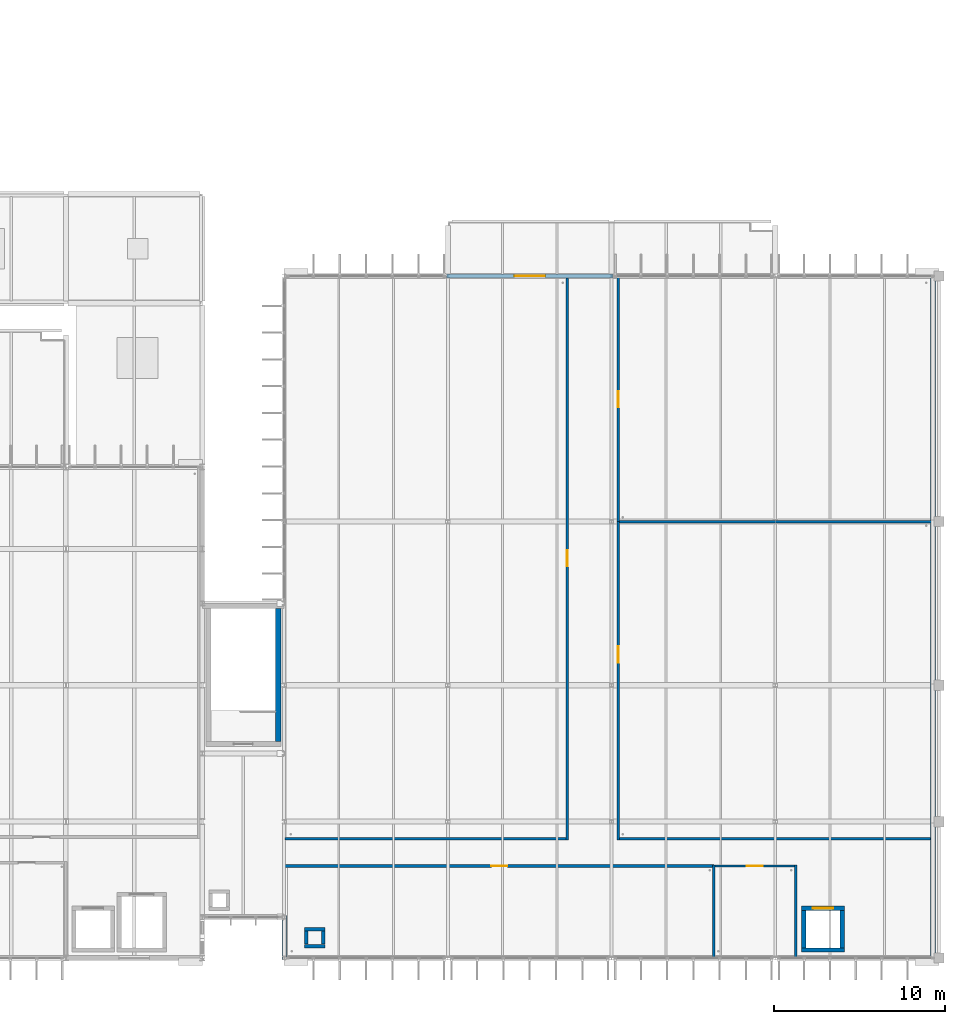
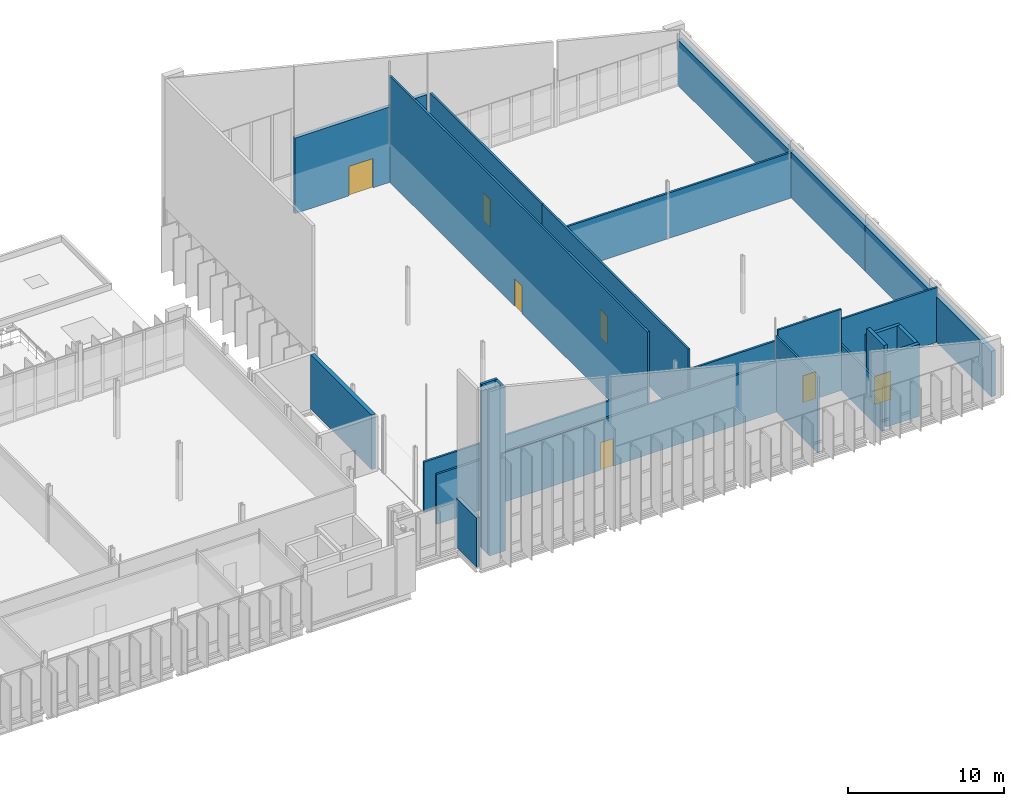
# One storey, part 67 of 110: 25 walls, 7 doors, 7 openings.
"""IFC4 building model written with IfcOpenShell, lengths in metres."""

import ifcopenshell
import ifcopenshell.guid

model = None  # the IFC model being written
_history = None  # IfcOwnerHistory: only IFC2X3 demands one
_inside = {}  # id of a spatial element -> (the spatial element, [elements in it])
_under = {}  # id of a project, library or spatial element -> (it, [spatial elements below it])
_declared = {}  # id of a project -> (the project, [libraries it declares])
_typed = {}  # id of a type object -> (the type object, [elements of that type])
_made_of = {}  # id of a material, layer set ... -> (it, [elements and type objects made of it])


def new_model(schema):
    """Start an empty IFC model of exactly this schema.

    Asked for "IFC4X3", IfcOpenShell would pick the latest addendum, in which some entities
    have other attributes; the version numbers below select the first issue.
    IFC2X3 requires an IfcOwnerHistory on every rooted entity: one is made here for all.
    """
    global model, _history
    if schema == "IFC4X3":
        model = ifcopenshell.file(schema_version=(4, 3, 0, 0))
    else:
        model = ifcopenshell.file(schema=schema)
    _inside.clear()
    _under.clear()
    _declared.clear()
    _typed.clear()
    _made_of.clear()
    _history = None
    if model.schema == "IFC2X3":
        org = make("IfcOrganization", Name="unknown")
        user = make(
            "IfcPersonAndOrganization",
            ThePerson=make("IfcPerson", FamilyName="unknown"),
            TheOrganization=org,
        )
        app = make(
            "IfcApplication",
            ApplicationDeveloper=org,
            Version="unknown",
            ApplicationFullName="unknown",
            ApplicationIdentifier="unknown",
        )
        _history = make(
            "IfcOwnerHistory",
            OwningUser=user,
            OwningApplication=app,
            ChangeAction="ADDED",
            CreationDate=0,
        )
    return model


def make(cls, **values):
    """One entity of the class cls with the attributes given. An attribute that is None is left unset."""
    return model.create_entity(
        cls, **{name: value for name, value in values.items() if value is not None}
    )


def rooted(cls, **values):
    """An entity with a GlobalId (a new one), such as an element, a storey or a relation."""
    return make(cls, GlobalId=ifcopenshell.guid.new(), OwnerHistory=_history, **values)


def si_unit(unit_type, name, prefix=None):
    """IfcSIUnit, for example si_unit("LENGTHUNIT", "METRE", prefix="MILLI")."""
    return make("IfcSIUnit", UnitType=unit_type, Prefix=prefix, Name=name)


def assignment(units):
    """IfcUnitAssignment: the units of a project."""
    return None if units is None else make("IfcUnitAssignment", Units=units)


def point(xyz):
    """IfcCartesianPoint."""
    return None if xyz is None else make("IfcCartesianPoint", Coordinates=xyz)


def direction(xyz):
    """IfcDirection."""
    return None if xyz is None else make("IfcDirection", DirectionRatios=xyz)


def frame(location, z_axis=None, x_axis=None):
    """IfcAxis2Placement3D, a coordinate frame: its origin and axes. An axis left out is left unset."""
    return make(
        "IfcAxis2Placement3D",
        Location=point(location),
        Axis=direction(z_axis),
        RefDirection=direction(x_axis),
    )


def frame_2d(location, x_axis=None):
    """IfcAxis2Placement2D, a coordinate frame in the plane: its origin and x axis."""
    return make(
        "IfcAxis2Placement2D", Location=point(location), RefDirection=direction(x_axis)
    )


def origin():
    """The frame at (0, 0, 0) with its axes left unset."""
    return frame((0.0, 0.0, 0.0))


def place(relative_to, where):
    """IfcLocalPlacement: puts the frame where relative to a parent placement (None: the world)."""
    return make(
        "IfcLocalPlacement", PlacementRelTo=relative_to, RelativePlacement=where
    )


def context(
    kind, dimensions, precision=None, world=None, true_north=None, identifier=None
):
    """IfcGeometricRepresentationContext, for example the 3D "Model" context."""
    return make(
        "IfcGeometricRepresentationContext",
        ContextIdentifier=identifier,
        ContextType=kind,
        CoordinateSpaceDimension=dimensions,
        Precision=precision,
        WorldCoordinateSystem=world,
        TrueNorth=true_north,
    )


def subcontext(parent, identifier, kind, view, scale=None):
    """IfcGeometricRepresentationSubContext, for example "Body" below "Model"."""
    return make(
        "IfcGeometricRepresentationSubContext",
        ContextIdentifier=identifier,
        ContextType=kind,
        ParentContext=parent,
        TargetScale=scale,
        TargetView=view,
    )


def project(units=None, contexts=None):
    """IfcProject with its units and contexts."""
    return rooted(
        "IfcProject",
        Name="project",
        RepresentationContexts=contexts,
        UnitsInContext=assignment(units),
    )


def spatial(cls, under=None, at=None, **own):
    """A site, building, storey or space (cls), placed at a placement, below another one or the project."""
    s = rooted(cls, ObjectPlacement=at, **own)
    if under is not None:
        _under.setdefault(under.id(), (under, []))[1].append(s)
    return s


def profile(cls, at=None, kind="AREA", **sizes):
    """A parametric profile (cls). Its sizes go by their IFC names, for example OverallWidth=200.0."""
    return make(cls, ProfileType=kind, Position=at, **sizes)


def rectangle(**sizes):
    """IfcRectangleProfileDef."""
    return profile("IfcRectangleProfileDef", **sizes)


def extrude(swept, where, along, depth):
    """IfcExtrudedAreaSolid: the profile swept, set in the frame where, extruded along a direction by depth."""
    return make(
        "IfcExtrudedAreaSolid",
        SweptArea=swept,
        Position=where,
        ExtrudedDirection=direction(along),
        Depth=depth,
    )


def shape(context_of_items, identifier, shape_type, items):
    """IfcShapeRepresentation: the items that make up one representation, for example the "Body"."""
    return make(
        "IfcShapeRepresentation",
        ContextOfItems=context_of_items,
        RepresentationIdentifier=identifier,
        RepresentationType=shape_type,
        Items=items,
    )


def material(Name=None, Category=None):
    """IfcMaterial."""
    return make("IfcMaterial", Name=Name, Category=Category)


def layer(
    of_material, thickness, ventilated=None, Name=None, Category=None, Priority=None
):
    """IfcMaterialLayer: one layer of a wall or slab, of a material (None: an air gap)."""
    return make(
        "IfcMaterialLayer",
        Material=of_material,
        LayerThickness=thickness,
        IsVentilated=ventilated,
        Name=Name,
        Category=Category,
        Priority=Priority,
    )


def layer_set(layers, Name=None):
    """IfcMaterialLayerSet."""
    return make("IfcMaterialLayerSet", MaterialLayers=layers, LayerSetName=Name)


def made_of(thing, what):
    """Note that an element or type object is made of a material, layer set ...; save() writes the relation."""
    if what is not None:
        _made_of.setdefault(what.id(), (what, []))[1].append(thing)
    return thing


def type_object(cls, material=None, **own):
    """A type object (cls), such as IfcWallType, which elements share."""
    return made_of(rooted(cls, **own), material)


def element(
    cls,
    number,
    at=None,
    inside=None,
    cuts=None,
    type_object=None,
    material=None,
    context=None,
    identifier="Body",
    shape_type=None,
    held_by="IfcProductDefinitionShape",
    body=None,
    shapes=None,
    **own,
):
    """One element of the class cls, such as IfcWall. Its Tag is "e" and its number.

    at: its placement. inside: the storey or other place that contains it. cuts: it is an
    opening in that element (IfcRelVoidsElement). A single representation is given by context,
    identifier, shape_type and body (its items); several are given by shapes. held_by: the class
    of the entity that holds the representations. save() writes the other relations.
    """
    e = rooted(cls, Tag="e%d" % number, ObjectPlacement=at, **own)
    if body is not None:
        shapes = [shape(context, identifier, shape_type, body)]
    if shapes is not None:
        e.Representation = make(held_by, Representations=shapes)
    if inside is not None:
        _inside.setdefault(inside.id(), (inside, []))[1].append(e)
    if cuts is not None:
        rooted(
            "IfcRelVoidsElement", RelatingBuildingElement=cuts, RelatedOpeningElement=e
        )
    if type_object is not None:
        _typed.setdefault(type_object.id(), (type_object, []))[1].append(e)
    return made_of(e, material)


def fill(opening, filler):
    """IfcRelFillsElement: the door or window that sits in an opening."""
    return rooted(
        "IfcRelFillsElement",
        RelatingOpeningElement=opening,
        RelatedBuildingElement=filler,
    )


def aggregate(whole, parts):
    """IfcRelAggregates: a whole, such as a stair, and the parts it consists of."""
    return rooted("IfcRelAggregates", RelatingObject=whole, RelatedObjects=parts)


def save(model, path):
    """Write the relations noted so far, then the file.

    IfcRelAggregates (storeys below a building ...), IfcRelContainedInSpatialStructure (elements
    in a storey), IfcRelDefinesByType, IfcRelAssociatesMaterial and IfcRelDeclares: one each for
    every whole, place, type object, material and project.
    """
    for whole, parts in _under.values():
        aggregate(whole, parts)
    for where, things in _inside.values():
        rooted(
            "IfcRelContainedInSpatialStructure",
            RelatedElements=things,
            RelatingStructure=where,
        )
    for kind, things in _typed.values():
        rooted("IfcRelDefinesByType", RelatedObjects=things, RelatingType=kind)
    for what, things in _made_of.values():
        rooted("IfcRelAssociatesMaterial", RelatedObjects=things, RelatingMaterial=what)
    for by, libraries in _declared.values():
        rooted("IfcRelDeclares", RelatingContext=by, RelatedDefinitions=libraries)
    model.write(path)


model = new_model("IFC4")

# Units and contexts
model_context = context("Model", 3, precision=1e-05, world=origin(), true_north=direction((0.0, 1.0)))
body_context = subcontext(model_context, "Body", "Model", "MODEL_VIEW")
ifc_project = project(units=[si_unit("LENGTHUNIT", "METRE"), si_unit("AREAUNIT", "SQUARE_METRE"), si_unit("VOLUMEUNIT", "CUBIC_METRE"), si_unit("PLANEANGLEUNIT", "RADIAN"), si_unit("MASSUNIT", "GRAM", prefix="KILO")], contexts=[model_context])

# Site, building, storey
site_placement = place(None, origin())
site = spatial("IfcSite", under=ifc_project, at=site_placement, CompositionType="ELEMENT")
building_placement = place(site_placement, origin())
building = spatial("IfcBuilding", under=site, at=building_placement, Name="Dunescarp Central Library", CompositionType="ELEMENT")
storey_placement = place(building_placement, frame((0.0, 0.0, 9.60009765625)))
storey = spatial("IfcBuildingStorey", under=building, at=storey_placement, Name="L02", CompositionType="ELEMENT", Elevation=9.60009765625)

# Wall, opening, door
ifc_material_1 = material(Name="Gypsum plasterboard acoustic partition")
ifc_layer_1 = layer(ifc_material_1, 0.14990234375)
ifc_layer_set_1 = layer_set([ifc_layer_1], Name="Gypsum plasterboard acoustic partition")
wall_type_1 = type_object("IfcWallType", Name="ARC-PT-AC150", PredefinedType="PARTITIONING", material=ifc_layer_set_1)
wall_1_placement = place(storey_placement, frame((129.639892578125, 10.199951171875, 0.0), z_axis=(0.0, 0.0, 1.0), x_axis=(1.0, 0.0, 0.0)))
wall_1 = element("IfcWall", 1, at=wall_1_placement, inside=storey, type_object=wall_type_1, Name="L02 partition PT-L02-0407", PredefinedType="PARTITIONING", context=body_context, shape_type="SweptSolid", body=[
    extrude(rectangle(XDim=25.16015625, YDim=0.14990234375, at=frame_2d((12.580078125, 0.0))), origin(), (0.0, 0.0, 1.0), 3.90478515625),
])
opening_1_placement = place(wall_1_placement, frame((12.10498046875, 0.0, 0.0)))
opening_1 = element("IfcOpeningElement", 2, at=opening_1_placement, cuts=wall_1, Name="Opening DR-L02-0176", PredefinedType="OPENING", context=body_context, shape_type="SweptSolid", body=[
    extrude(rectangle(XDim=0.949951171875, YDim=2.14990234375, at=frame_2d((0.47509765625, 1.074951171875))), frame((0.0, 0.0849609375, 0.0), z_axis=(0.0, -1.0, 0.0), x_axis=(1.0, 0.0, 0.0)), (0.0, 0.0, 1.0), 0.169921875),
])
ifc_material_2 = material(Name="Hardwood solid-core timber leaf", Category="wood")
door_type_1 = type_object("IfcDoorType", Name="ARC-DR-INT950", OperationType="NOTDEFINED", PredefinedType="DOOR", material=ifc_material_2)
door_1_placement = place(opening_1_placement, origin())
door_1 = element("IfcDoor", 3, at=door_1_placement, inside=storey, type_object=door_type_1, Name="L02 interior door DR-L02-0176", OperationType="SINGLE_SWING_RIGHT", OverallHeight=2.14990234375, OverallWidth=0.949951171875, PredefinedType="DOOR", context=body_context, shape_type="SweptSolid", body=[
    extrude(rectangle(XDim=0.949951171875, YDim=2.14990234375, at=frame_2d((0.47509765625, 1.074951171875))), frame((0.0, 0.02490234375, 0.0), z_axis=(0.0, -1.0, 0.0), x_axis=(1.0, 0.0, 0.0)), (0.0, 0.0, 1.0), 0.050048828125),
])
fill(opening_1, door_1)

# Wall
wall_2_placement = place(storey_placement, frame((129.639892578125, 11.800048828125, 0.0), z_axis=(0.0, 0.0, 1.0), x_axis=(1.0, 0.0, 0.0)))
element("IfcWall", 4, at=wall_2_placement, inside=storey, type_object=wall_type_1, Name="L02 partition PT-L02-0408", PredefinedType="PARTITIONING", context=body_context, shape_type="SweptSolid", body=[
    extrude(rectangle(XDim=16.485107421875, YDim=0.14990234375, at=frame_2d((8.24267578125, 0.0))), origin(), (0.0, 0.0, 1.0), 3.90478515625),
])

# Wall, opening, door
wall_3_placement = place(storey_placement, frame((146.199951171875, 11.72509765625, 0.0), z_axis=(0.0, 0.0, 1.0), x_axis=(0.0, 1.0, 0.0)))
wall_3 = element("IfcWall", 5, at=wall_3_placement, inside=storey, type_object=wall_type_1, Name="L02 partition PT-L02-0409", PredefinedType="PARTITIONING", context=body_context, shape_type="SweptSolid", body=[
    extrude(rectangle(XDim=33.034912109375, YDim=0.14990234375, at=frame_2d((16.517578125, 0.0))), origin(), (0.0, 0.0, 1.0), 8.2998046875),
])
opening_2_placement = place(wall_3_placement, frame((16.0419921875, 0.0, 0.0)))
opening_2 = element("IfcOpeningElement", 6, at=opening_2_placement, cuts=wall_3, Name="Opening DR-L02-0177", PredefinedType="OPENING", context=body_context, shape_type="SweptSolid", body=[
    extrude(rectangle(XDim=0.949951171875, YDim=2.14990234375, at=frame_2d((0.47509765625, 1.074951171875))), frame((0.0, 0.0849609375, 0.0), z_axis=(0.0, -1.0, 0.0), x_axis=(1.0, 0.0, 0.0)), (0.0, 0.0, 1.0), 0.169921875),
])
door_2_placement = place(opening_2_placement, origin())
door_2 = element("IfcDoor", 7, at=door_2_placement, inside=storey, type_object=door_type_1, Name="L02 interior door DR-L02-0177", OperationType="SINGLE_SWING_LEFT", OverallHeight=2.14990234375, OverallWidth=0.949951171875, PredefinedType="DOOR", context=body_context, shape_type="SweptSolid", body=[
    extrude(rectangle(XDim=0.949951171875, YDim=2.14990234375, at=frame_2d((0.47509765625, 1.074951171875))), frame((0.0, 0.02490234375, 0.0), z_axis=(0.0, -1.0, 0.0), x_axis=(1.0, 0.0, 0.0)), (0.0, 0.0, 1.0), 0.050048828125),
])
fill(opening_2, door_2)

# Walls
wall_4_placement = place(storey_placement, frame((149.27490234375, 11.800048828125, 0.0), z_axis=(0.0, 0.0, 1.0), x_axis=(1.0, 0.0, 0.0)))
element("IfcWall", 8, at=wall_4_placement, inside=storey, type_object=wall_type_1, Name="L02 partition PT-L02-0410", PredefinedType="PARTITIONING", context=body_context, shape_type="SweptSolid", body=[
    extrude(rectangle(XDim=18.335205078125, YDim=0.14990234375, at=frame_2d((9.16748046875, 0.0))), origin(), (0.0, 0.0, 1.0), 4.27392578125),
])
wall_5_placement = place(storey_placement, frame((149.27490234375, 30.39990234375, 0.0), z_axis=(0.0, 0.0, 1.0), x_axis=(1.0, 0.0, 0.0)))
element("IfcWall", 9, at=wall_5_placement, inside=storey, type_object=wall_type_1, Name="L02 partition PT-L02-0411", PredefinedType="PARTITIONING", context=body_context, shape_type="SweptSolid", body=[
    extrude(rectangle(XDim=18.335205078125, YDim=0.14990234375, at=frame_2d((9.16748046875, 0.0))), origin(), (0.0, 0.0, 1.0), 3.5498046875),
])

# Wall, opening, door
wall_6_placement = place(storey_placement, frame((149.199951171875, 11.72509765625, 0.0), z_axis=(0.0, 0.0, 1.0), x_axis=(0.0, 1.0, 0.0)))
wall_6 = element("IfcWall", 10, at=wall_6_placement, inside=storey, type_object=wall_type_1, Name="L02 partition PT-L02-0412", PredefinedType="PARTITIONING", context=body_context, shape_type="SweptSolid", body=[
    extrude(rectangle(XDim=18.75, YDim=0.14990234375, at=frame_2d((9.375, 0.0))), origin(), (0.0, 0.0, 1.0), 5.89990234375),
])
opening_3_placement = place(wall_6_placement, frame((10.39990234375, 0.0, 0.0)))
opening_3 = element("IfcOpeningElement", 11, at=opening_3_placement, cuts=wall_6, Name="Opening DR-L02-0178", PredefinedType="OPENING", context=body_context, shape_type="SweptSolid", body=[
    extrude(rectangle(XDim=0.949951171875, YDim=2.14990234375, at=frame_2d((0.47509765625, 1.074951171875))), frame((0.0, 0.0849609375, 0.0), z_axis=(0.0, -1.0, 0.0), x_axis=(1.0, 0.0, 0.0)), (0.0, 0.0, 1.0), 0.169921875),
])
door_3_placement = place(opening_3_placement, origin())
door_3 = element("IfcDoor", 12, at=door_3_placement, inside=storey, type_object=door_type_1, Name="L02 interior door DR-L02-0178", OperationType="SINGLE_SWING_RIGHT", OverallHeight=2.14990234375, OverallWidth=0.949951171875, PredefinedType="DOOR", context=body_context, shape_type="SweptSolid", body=[
    extrude(rectangle(XDim=0.949951171875, YDim=2.14990234375, at=frame_2d((0.47509765625, 1.074951171875))), frame((0.0, 0.02490234375, 0.0), z_axis=(0.0, -1.0, 0.0), x_axis=(1.0, 0.0, 0.0)), (0.0, 0.0, 1.0), 0.050048828125),
])
fill(opening_3, door_3)

wall_7_placement = place(storey_placement, frame((149.199951171875, 30.39990234375, 0.0), z_axis=(0.0, 0.0, 1.0), x_axis=(0.0, 1.0, 0.0)))
wall_7 = element("IfcWall", 13, at=wall_7_placement, inside=storey, type_object=wall_type_1, Name="L02 partition PT-L02-0413", PredefinedType="PARTITIONING", context=body_context, shape_type="SweptSolid", body=[
    extrude(rectangle(XDim=14.360107421875, YDim=0.14990234375, at=frame_2d((7.18017578125, 0.0))), origin(), (0.0, 0.0, 1.0), 5.89990234375),
])
opening_4_placement = place(wall_7_placement, frame((6.705078125, 0.0, 0.0)))
opening_4 = element("IfcOpeningElement", 14, at=opening_4_placement, cuts=wall_7, Name="Opening DR-L02-0179", PredefinedType="OPENING", context=body_context, shape_type="SweptSolid", body=[
    extrude(rectangle(XDim=0.949951171875, YDim=2.14990234375, at=frame_2d((0.47509765625, 1.074951171875))), frame((0.0, 0.0849609375, 0.0), z_axis=(0.0, -1.0, 0.0), x_axis=(1.0, 0.0, 0.0)), (0.0, 0.0, 1.0), 0.169921875),
])
door_4_placement = place(opening_4_placement, origin())
door_4 = element("IfcDoor", 15, at=door_4_placement, inside=storey, type_object=door_type_1, Name="L02 interior door DR-L02-0179", OperationType="SINGLE_SWING_LEFT", OverallHeight=2.14990234375, OverallWidth=0.949951171875, PredefinedType="DOOR", context=body_context, shape_type="SweptSolid", body=[
    extrude(rectangle(XDim=0.949951171875, YDim=2.14990234375, at=frame_2d((0.47509765625, 1.074951171875))), frame((0.0, 0.02490234375, 0.0), z_axis=(0.0, -1.0, 0.0), x_axis=(1.0, 0.0, 0.0)), (0.0, 0.0, 1.0), 0.050048828125),
])
fill(opening_4, door_4)

ifc_material_3 = material(Name="Autoclaved aerated concrete block", Category="concrete")
ifc_layer_2 = layer(ifc_material_3, 0.139892578125)
ifc_layer_set_2 = layer_set([ifc_layer_2], Name="Autoclaved aerated concrete block")
wall_type_2 = type_object("IfcWallType", Name="ARC-PT-WET140", PredefinedType="PARTITIONING", material=ifc_layer_set_2)
wall_8_placement = place(storey_placement, frame((154.8701171875, 10.199951171875, 0.0), z_axis=(0.0, 0.0, 1.0), x_axis=(1.0, 0.0, 0.0)))
wall_8 = element("IfcWall", 16, at=wall_8_placement, inside=storey, type_object=wall_type_2, Name="L02 partition PT-L02-0404", PredefinedType="PARTITIONING", context=body_context, shape_type="SweptSolid", body=[
    extrude(rectangle(XDim=4.659912109375, YDim=0.139892578125, at=frame_2d((2.330078125, 0.0))), origin(), (0.0, 0.0, 1.0), 6.350830078125),
])
opening_5_placement = place(wall_8_placement, frame((1.85498046875, 0.0, 0.0)))
opening_5 = element("IfcOpeningElement", 17, at=opening_5_placement, cuts=wall_8, Name="Opening DR-L02-0175", PredefinedType="OPENING", context=body_context, shape_type="SweptSolid", body=[
    extrude(rectangle(XDim=0.949951171875, YDim=2.10009765625, at=frame_2d((0.47509765625, 1.050048828125))), frame((0.0, 0.080078125, 0.0), z_axis=(0.0, -1.0, 0.0), x_axis=(1.0, 0.0, 0.0)), (0.0, 0.0, 1.0), 0.159912109375),
])
door_type_2 = type_object("IfcDoorType", Name="ARC-DR-WC950", OperationType="NOTDEFINED", PredefinedType="DOOR", material=ifc_material_2)
door_5_placement = place(opening_5_placement, origin())
door_5 = element("IfcDoor", 18, at=door_5_placement, inside=storey, type_object=door_type_2, Name="L02 interior door DR-L02-0175", OperationType="SINGLE_SWING_LEFT", OverallHeight=2.10009765625, OverallWidth=0.949951171875, PredefinedType="DOOR", context=body_context, shape_type="SweptSolid", body=[
    extrude(rectangle(XDim=0.949951171875, YDim=2.10009765625, at=frame_2d((0.47509765625, 1.050048828125))), frame((0.0, 0.02490234375, 0.0), z_axis=(0.0, -1.0, 0.0), x_axis=(1.0, 0.0, 0.0)), (0.0, 0.0, 1.0), 0.050048828125),
])
fill(opening_5, door_5)

# Walls
wall_9_placement = place(storey_placement, frame((154.800048828125, 4.840087890625, 0.0), z_axis=(0.0, 0.0, 1.0), x_axis=(0.0, 1.0, 0.0)))
element("IfcWall", 19, at=wall_9_placement, inside=storey, type_object=wall_type_2, Name="L02 partition PT-L02-0405", PredefinedType="PARTITIONING", context=body_context, shape_type="SweptSolid", body=[
    extrude(rectangle(XDim=5.429931640625, YDim=0.139892578125, at=frame_2d((2.71484375, 0.0))), origin(), (0.0, 0.0, 1.0), 5.89990234375),
])
wall_10_placement = place(storey_placement, frame((159.60009765625, 4.840087890625, 0.0), z_axis=(0.0, 0.0, 1.0), x_axis=(0.0, 1.0, 0.0)))
element("IfcWall", 20, at=wall_10_placement, inside=storey, type_object=wall_type_2, Name="L02 partition PT-L02-0406", PredefinedType="PARTITIONING", context=body_context, shape_type="SweptSolid", body=[
    extrude(rectangle(XDim=5.429931640625, YDim=0.139892578125, at=frame_2d((2.71484375, 0.0))), origin(), (0.0, 0.0, 1.0), 3.5498046875),
])

# Wall, opening, door
ifc_material_4 = material(Name="Glass-fibre reinforced concrete GRC", Category="concrete")
ifc_layer_3 = layer(ifc_material_4, 0.260009765625)
ifc_layer_set_3 = layer_set([ifc_layer_3], Name="Glass-fibre reinforced concrete GRC")
wall_type_3 = type_object("IfcWallType", Name="ARC-WL-GRC260", PredefinedType="SOLIDWALL", material=ifc_layer_set_3)
wall_11_placement = place(storey_placement, frame((139.114990234375, 44.800048828125, 0.0), z_axis=(0.0, 0.0, 1.0), x_axis=(1.0, 0.0, 0.0)))
wall_11 = element("IfcWall", 21, at=wall_11_placement, inside=storey, type_object=wall_type_3, Name="L02 external wall EW-V5-169", PredefinedType="SOLIDWALL", context=body_context, shape_type="SweptSolid", body=[
    extrude(rectangle(XDim=9.77001953125, YDim=0.260009765625, at=frame_2d((4.885009765625, 0.0))), origin(), (0.0, 0.0, 1.0), 5.89990234375),
])
opening_6_placement = place(wall_11_placement, frame((3.985107421875, 0.0, 0.0)))
opening_6 = element("IfcOpeningElement", 22, at=opening_6_placement, cuts=wall_11, Name="Opening TD-L02-V5N", PredefinedType="OPENING", context=body_context, shape_type="SweptSolid", body=[
    extrude(rectangle(XDim=1.800048828125, YDim=2.300048828125, at=frame_2d((0.89990234375, 1.14990234375))), frame((0.0, 0.14013671875, 0.0), z_axis=(0.0, -1.0, 0.0), x_axis=(1.0, 0.0, 0.0)), (0.0, 0.0, 1.0), 0.280029296875),
])
ifc_material_5 = material(Name="Marine-grade anodised aluminium 6063-T6", Category="aluminium")
door_type_3 = type_object("IfcDoorType", Name="ARC-DR-TER1800", OperationType="NOTDEFINED", PredefinedType="DOOR", material=ifc_material_5)
door_6_placement = place(opening_6_placement, origin())
door_6 = element("IfcDoor", 23, at=door_6_placement, inside=storey, type_object=door_type_3, Name="L02 external door TD-L02-V5N", OperationType="SINGLE_SWING_LEFT", OverallHeight=2.300048828125, OverallWidth=1.800048828125, PredefinedType="DOOR", context=body_context, shape_type="SweptSolid", body=[
    extrude(rectangle(XDim=1.800048828125, YDim=2.300048828125, at=frame_2d((0.89990234375, 1.14990234375))), frame((0.0, 0.02490234375, 0.0), z_axis=(0.0, -1.0, 0.0), x_axis=(1.0, 0.0, 0.0)), (0.0, 0.0, 1.0), 0.050048828125),
])
fill(opening_6, door_6)

# Walls
wall_12_placement = place(storey_placement, frame((129.60009765625, 4.715087890625, 0.0), z_axis=(0.0, 0.0, 1.0), x_axis=(0.0, 1.0, 0.0)))
element("IfcWall", 24, at=wall_12_placement, inside=storey, type_object=wall_type_3, Name="L02 external wall EW-V5-174", PredefinedType="SOLIDWALL", context=body_context, shape_type="SweptSolid", body=[
    extrude(rectangle(XDim=2.56982421875, YDim=0.260009765625, at=frame_2d((1.284912109375, 0.0))), origin(), (0.0, 0.0, 1.0), 3.844970703125),
])
ifc_layer_4 = layer(ifc_material_4, 0.320068359375)
ifc_layer_set_4 = layer_set([ifc_layer_4], Name="Glass-fibre reinforced concrete GRC")
wall_type_4 = type_object("IfcWallType", Name="ARC-WL-GRC320", PredefinedType="SOLIDWALL", material=ifc_layer_set_4)
for number, where, z_axis, x_axis, name in (
    (25, (167.64990234375, 12.885009765625, 0.0), (0.0, 0.0, 1.0), (0.0, -1.0, 0.0), "L02 external wall EW-V5-170"),
    (26, (167.64990234375, 20.885009765625, 0.0), (0.0, 0.0, 1.0), (0.0, -1.0, 0.0), "L02 external wall EW-V5-171"),
):
    element("IfcWall", number, at=place(storey_placement, frame(where, z_axis=z_axis, x_axis=x_axis)), inside=storey, type_object=wall_type_4, Name=name, PredefinedType="SOLIDWALL", context=body_context, shape_type="SweptSolid", body=[
        extrude(rectangle(XDim=8.169921875, YDim=0.320068359375, at=frame_2d((4.0849609375, 0.0))), origin(), (0.0, 0.0, 1.0), 3.5498046875),
    ])
wall_13_placement = place(storey_placement, frame((167.64990234375, 30.485107421875, 0.0), z_axis=(0.0, 0.0, 1.0), x_axis=(0.0, -1.0, 0.0)))
element("IfcWall", 27, at=wall_13_placement, inside=storey, type_object=wall_type_4, Name="L02 external wall EW-V5-172", PredefinedType="SOLIDWALL", context=body_context, shape_type="SweptSolid", body=[
    extrude(rectangle(XDim=9.77001953125, YDim=0.320068359375, at=frame_2d((4.885009765625, 0.0))), origin(), (0.0, 0.0, 1.0), 3.5498046875),
])
wall_14_placement = place(storey_placement, frame((167.64990234375, 44.885009765625, 0.0), z_axis=(0.0, 0.0, 1.0), x_axis=(0.0, -1.0, 0.0)))
element("IfcWall", 28, at=wall_14_placement, inside=storey, type_object=wall_type_4, Name="L02 external wall EW-V5-173", PredefinedType="SOLIDWALL", context=body_context, shape_type="SweptSolid", body=[
    extrude(rectangle(XDim=14.570068359375, YDim=0.320068359375, at=frame_2d((7.28515625, 0.0))), origin(), (0.0, 0.0, 1.0), 3.5498046875),
])
ifc_material_6 = material(Name="Concrete C35/45", Category="concrete")
ifc_layer_5 = layer(ifc_material_6, 0.199951171875)
ifc_layer_set_5 = layer_set([ifc_layer_5], Name="Concrete C35/45")
wall_type_5 = type_object("IfcWallType", Name="ARC-WL-RISER200", PredefinedType="PARTITIONING", material=ifc_layer_set_5)
for number, where, z_axis, x_axis, name in (
    (29, (132.0, 5.5, 0.0), (0.0, 0.0, 1.0), (-1.0, 0.0, 0.0), "L02 V5 duct shaft wall S"),
    (30, (130.800048828125, 6.5, 0.0), (0.0, 0.0, 1.0), (1.0, 0.0, 0.0), "L02 V5 duct shaft wall N"),
):
    element("IfcWall", number, at=place(storey_placement, frame(where, z_axis=z_axis, x_axis=x_axis)), inside=storey, type_object=wall_type_5, Name=name, PredefinedType="PARTITIONING", context=body_context, shape_type="SweptSolid", body=[
        extrude(rectangle(XDim=1.199951171875, YDim=0.199951171875, at=frame_2d((0.60009765625, 0.0))), origin(), (0.0, 0.0, 1.0), 12.7978515625),
    ])
for number, where, z_axis, x_axis, name in (
    (31, (130.89990234375, 5.6201171875, 0.0), (0.0, 0.0, 1.0), (0.0, 1.0, 0.0), "L02 V5 duct shaft wall W"),
    (32, (131.89990234375, 6.3798828125, 0.0), (0.0, 0.0, 1.0), (0.0, -1.0, 0.0), "L02 V5 duct shaft wall E"),
):
    element("IfcWall", number, at=place(storey_placement, frame(where, z_axis=z_axis, x_axis=x_axis)), inside=storey, type_object=wall_type_5, Name=name, PredefinedType="PARTITIONING", context=body_context, shape_type="SweptSolid", body=[
        extrude(rectangle(XDim=0.759765625, YDim=0.199951171875, at=frame_2d((0.3798828125, 0.0))), origin(), (0.0, 0.0, 1.0), 12.7978515625),
    ])
ifc_material_7 = material(Name="Concrete C40/50", Category="concrete")
ifc_layer_6 = layer(ifc_material_7, 0.25)
ifc_layer_set_6 = layer_set([ifc_layer_6], Name="Concrete C40/50")
wall_type_6 = type_object("IfcWallType", Name="STR-WL-CORE250", PredefinedType="SHEAR", material=ifc_layer_set_6)
wall_15_placement = place(storey_placement, frame((162.449951171875, 5.27490234375, 0.0), z_axis=(0.0, 0.0, 1.0), x_axis=(-1.0, 0.0, 0.0)))
element("IfcWall", 33, at=wall_15_placement, inside=storey, type_object=wall_type_6, Name="L02 PL-5 lift shaft wall S", PredefinedType="SHEAR", context=body_context, shape_type="SweptSolid", body=[
    extrude(rectangle(XDim=2.5, YDim=0.25, at=frame_2d((1.25, 0.0))), origin(), (0.0, 0.0, 1.0), 5.635986328125),
])

# Wall, opening, door
wall_16_placement = place(storey_placement, frame((159.949951171875, 7.72509765625, 0.0), z_axis=(0.0, 0.0, 1.0), x_axis=(1.0, 0.0, 0.0)))
wall_16 = element("IfcWall", 34, at=wall_16_placement, inside=storey, type_object=wall_type_6, Name="L02 PL-5 lift shaft wall N", PredefinedType="SHEAR", context=body_context, shape_type="SweptSolid", body=[
    extrude(rectangle(XDim=2.5, YDim=0.25, at=frame_2d((1.25, 0.0))), origin(), (0.0, 0.0, 1.0), 5.635986328125),
])
opening_7_placement = place(wall_16_placement, frame((0.64990234375, 0.0, 0.0)))
opening_7 = element("IfcOpeningElement", 35, at=opening_7_placement, cuts=wall_16, Name="Opening LD-PL-5-L02", PredefinedType="OPENING", context=body_context, shape_type="SweptSolid", body=[
    extrude(rectangle(XDim=1.199951171875, YDim=2.199951171875, at=frame_2d((0.60009765625, 1.10009765625))), frame((0.0, 0.135009765625, 0.0), z_axis=(0.0, -1.0, 0.0), x_axis=(1.0, 0.0, 0.0)), (0.0, 0.0, 1.0), 0.27001953125),
])
ifc_material_8 = material(Name="Stainless steel Grade 316L", Category="steel")
door_type_4 = type_object("IfcDoorType", Name="ARC-DR-LD1200", OperationType="DOUBLE_DOOR_SLIDING", PredefinedType="DOOR", material=ifc_material_8)
door_7_placement = place(opening_7_placement, origin())
door_7 = element("IfcDoor", 36, at=door_7_placement, inside=storey, type_object=door_type_4, Name="L02 PL-5 lift landing door", OperationType="DOUBLE_DOOR_SLIDING", OverallHeight=2.199951171875, OverallWidth=1.199951171875, PredefinedType="DOOR", context=body_context, shape_type="SweptSolid", body=[
    extrude(rectangle(XDim=1.199951171875, YDim=2.199951171875, at=frame_2d((0.60009765625, 1.10009765625))), frame((0.0, 0.02490234375, 0.0), z_axis=(0.0, -1.0, 0.0), x_axis=(1.0, 0.0, 0.0)), (0.0, 0.0, 1.0), 0.050048828125),
])
fill(opening_7, door_7)

# Walls
wall_17_placement = place(storey_placement, frame((160.074951171875, 5.39990234375, 0.0), z_axis=(0.0, 0.0, 1.0), x_axis=(0.0, 1.0, 0.0)))
element("IfcWall", 37, at=wall_17_placement, inside=storey, type_object=wall_type_6, Name="L02 PL-5 lift shaft wall W", PredefinedType="SHEAR", context=body_context, shape_type="SweptSolid", body=[
    extrude(rectangle(XDim=2.2001953125, YDim=0.25, at=frame_2d((1.10009765625, 0.0))), origin(), (0.0, 0.0, 1.0), 6.22900390625),
])
wall_18_placement = place(storey_placement, frame((162.324951171875, 7.60009765625, 0.0), z_axis=(0.0, 0.0, 1.0), x_axis=(0.0, -1.0, 0.0)))
element("IfcWall", 38, at=wall_18_placement, inside=storey, type_object=wall_type_6, Name="L02 PL-5 lift shaft wall E", PredefinedType="SHEAR", context=body_context, shape_type="SweptSolid", body=[
    extrude(rectangle(XDim=2.2001953125, YDim=0.25, at=frame_2d((1.10009765625, 0.0))), origin(), (0.0, 0.0, 1.0), 5.6669921875),
])
ifc_layer_7 = layer(ifc_material_7, 0.300048828125)
ifc_layer_set_7 = layer_set([ifc_layer_7], Name="Concrete C40/50")
wall_type_7 = type_object("IfcWallType", Name="STR-WL-CORE300", PredefinedType="SHEAR", material=ifc_layer_set_7)
wall_19_placement = place(storey_placement, frame((129.25, 25.300048828125, 0.0), z_axis=(0.0, 0.0, 1.0), x_axis=(0.0, -1.0, 0.0)))
element("IfcWall", 39, at=wall_19_placement, inside=storey, type_object=wall_type_7, Name="L02 ST-5 east core wall", PredefinedType="SHEAR", context=body_context, shape_type="SweptSolid", body=[
    extrude(rectangle(XDim=7.800048828125, YDim=0.300048828125, at=frame_2d((3.89990234375, 0.0))), origin(), (0.0, 0.0, 1.0), 4.2548828125),
])

save(model, "model.ifc")
